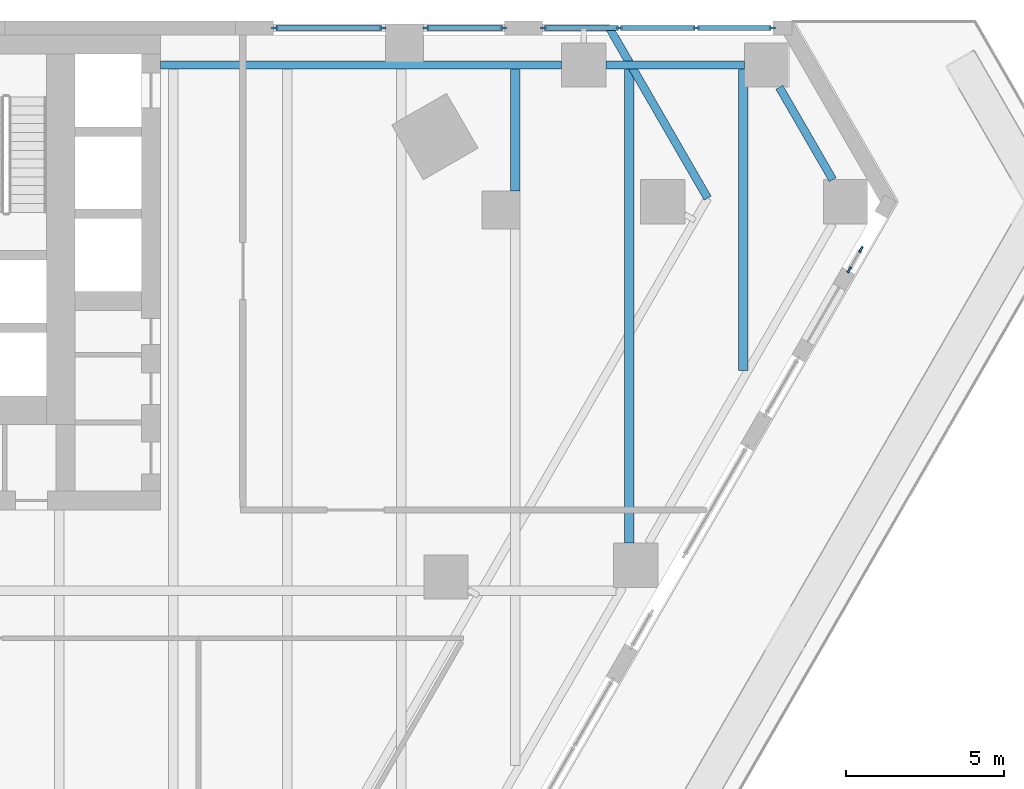
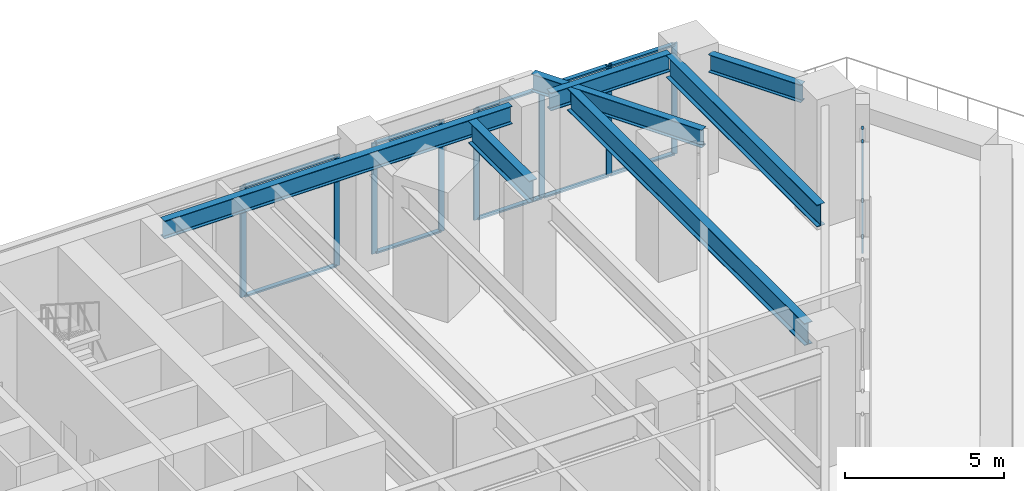
# One storey, part 14 of 31: 20 members, 7 beams, 4 elements without a shape of their own.
"""IFC4 building model written with IfcOpenShell, lengths in metres."""

from ifc_helpers import new_model, si_unit, direction, frame, origin, origin_2d, place, context, subcontext, project, spatial, rectangle, i_section, extrude, material, material_profile, profile_set, type_object, element, aggregate, save


model = new_model("IFC4")

# Units and contexts
model_context = context("Model", 3, precision=1e-05, world=origin(), true_north=direction((0.0, 1.0)))
body_context = subcontext(model_context, "Body", "Model", "MODEL_VIEW")
ifc_project = project(units=[si_unit("LENGTHUNIT", "METRE"), si_unit("AREAUNIT", "SQUARE_METRE"), si_unit("VOLUMEUNIT", "CUBIC_METRE"), si_unit("PLANEANGLEUNIT", "RADIAN"), si_unit("MASSUNIT", "GRAM", prefix="KILO")], contexts=[model_context])

# Site, building, storey
site_placement = place(None, origin())
site = spatial("IfcSite", under=ifc_project, at=site_placement, CompositionType="ELEMENT")
building_placement = place(site_placement, origin())
building = spatial("IfcBuilding", under=site, at=building_placement, Name="Aloe Facet Convention Tower", CompositionType="ELEMENT")
storey_placement = place(building_placement, frame((0.0, 0.0, 25.0)))
storey = spatial("IfcBuildingStorey", under=building, at=storey_placement, Name="L04", CompositionType="ELEMENT", Elevation=25.0)

# Beam
ifc_material_1 = material(Name="Steel S355", Category="steel")
ifc_material_profile_1 = material_profile(ifc_material_1, i_section(OverallWidth=0.25439453125, OverallDepth=0.6875, WebThickness=0.01318359375, FlangeThickness=0.02099609375, FilletRadius=0.01513671875, at=origin_2d()), Name="UB 686x254x152")
ifc_profile_set_1 = profile_set([ifc_material_profile_1], Name="Steel S355")
beam_type_1 = type_object("IfcBeamType", Name="EV-EB-UB686x254x152", PredefinedType="BEAM", material=ifc_profile_set_1)
beam_1_placement = place(storey_placement, frame((111.278564453125, 129.396728515625, 4.356201171875), z_axis=(-0.499986758824, 0.866033048446, 0.0), x_axis=(-0.866033048446, -0.499986758824, 0.0)))
element("IfcBeam", 1, at=beam_1_placement, inside=storey, type_object=beam_type_1, Name="EB-L05-C", PredefinedType="BEAM", context=body_context, shape_type="SweptSolid", body=[
    extrude(i_section(OverallWidth=0.25439453125, OverallDepth=0.6875, WebThickness=0.01318359375, FlangeThickness=0.02099609375, FilletRadius=0.01513671875, at=origin_2d()), origin(), (0.0, 0.0, 1.0), 6.210205078125),
])

# Curtain wall, members
ifc_material_2 = material(Name="Aluminium, anodised", Category="aluminium")
curtain_wall_type = type_object("IfcCurtainWallType", Name="EV-CW-HALL", PredefinedType="USERDEFINED", material=ifc_material_2)
curtain_wall_1_placement = place(storey_placement, origin())
curtain_wall_1 = element("IfcCurtainWall", 2, at=curtain_wall_1_placement, inside=storey, type_object=curtain_wall_type, Name="CW-L04-N02", ObjectType="UNITISED HALL GLAZING", PredefinedType="USERDEFINED")
ifc_material_3 = material(Name="Aluminium, anodised", Category="aluminium")
ifc_material_profile_2 = material_profile(ifc_material_3, rectangle(XDim=0.06494140625, YDim=0.199951171875, at=origin_2d()), Name="AL 65x200")
ifc_profile_set_2 = profile_set([ifc_material_profile_2], Name="Aluminium, anodised")
member_type_1 = type_object("IfcMemberType", Name="EV-MULL-HALL", PredefinedType="MULLION", material=ifc_profile_set_2)
member_1_placement = place(storey_placement, frame((113.314453125, 134.77490234375, -0.25), z_axis=(0.0, 0.0, 1.0), x_axis=(0.0, -1.0, 0.0)))
member_1 = element("IfcMember", 3, at=member_1_placement, type_object=member_type_1, Name="CW-L04-N02 mullion 1", PredefinedType="MULLION", context=body_context, shape_type="SweptSolid", body=[
    extrude(rectangle(XDim=0.06494140625, YDim=0.199951171875, at=origin_2d()), origin(), (0.0, 0.0, 1.0), 4.262451171875),
])
member_2_placement = place(storey_placement, frame((110.91796875, 134.77490234375, -0.25), z_axis=(0.0, 0.0, 1.0), x_axis=(0.0, -1.0, 0.0)))
member_2 = element("IfcMember", 4, at=member_2_placement, type_object=member_type_1, Name="CW-L04-N02 mullion 2", PredefinedType="MULLION", context=body_context, shape_type="SweptSolid", body=[
    extrude(rectangle(XDim=0.06494140625, YDim=0.199951171875, at=origin_2d()), origin(), (0.0, 0.0, 1.0), 4.262451171875),
])
member_3_placement = place(storey_placement, frame((108.4892578125, 134.77490234375, -0.25), z_axis=(0.0, 0.0, 1.0), x_axis=(0.0, -1.0, 0.0)))
member_3 = element("IfcMember", 5, at=member_3_placement, type_object=member_type_1, Name="CW-L04-N02 mullion 3", PredefinedType="MULLION", context=body_context, shape_type="SweptSolid", body=[
    extrude(rectangle(XDim=0.06494140625, YDim=0.199951171875, at=origin_2d()), origin(), (0.0, 0.0, 1.0), 4.262451171875),
])
member_4_placement = place(storey_placement, frame((106.0927734375, 134.77490234375, -0.25), z_axis=(0.0, 0.0, 1.0), x_axis=(0.0, -1.0, 0.0)))
member_4 = element("IfcMember", 6, at=member_4_placement, type_object=member_type_1, Name="CW-L04-N02 mullion 4", PredefinedType="MULLION", context=body_context, shape_type="SweptSolid", body=[
    extrude(rectangle(XDim=0.06494140625, YDim=0.199951171875, at=origin_2d()), origin(), (0.0, 0.0, 1.0), 4.262451171875),
])

curtain_wall_2_placement = place(storey_placement, origin())
curtain_wall_2 = element("IfcCurtainWall", 7, at=curtain_wall_2_placement, inside=storey, type_object=curtain_wall_type, Name="CW-L04-N04-1", ObjectType="UNITISED HALL GLAZING", PredefinedType="USERDEFINED")
member_5_placement = place(storey_placement, frame((104.82763671875, 134.77490234375, -0.25), z_axis=(0.0, 0.0, 1.0), x_axis=(0.0, -1.0, 0.0)))
member_5 = element("IfcMember", 8, at=member_5_placement, type_object=member_type_1, Name="CW-L04-N04-1 mullion 1", PredefinedType="MULLION", context=body_context, shape_type="SweptSolid", body=[
    extrude(rectangle(XDim=0.06494140625, YDim=0.199951171875, at=origin_2d()), origin(), (0.0, 0.0, 1.0), 4.262451171875),
])
member_6_placement = place(storey_placement, frame((102.382568359375, 134.77490234375, -0.25), z_axis=(0.0, 0.0, 1.0), x_axis=(0.0, -1.0, 0.0)))
member_6 = element("IfcMember", 9, at=member_6_placement, type_object=member_type_1, Name="CW-L04-N04-1 mullion 2", PredefinedType="MULLION", context=body_context, shape_type="SweptSolid", body=[
    extrude(rectangle(XDim=0.06494140625, YDim=0.199951171875, at=origin_2d()), origin(), (0.0, 0.0, 1.0), 4.262451171875),
])

curtain_wall_3_placement = place(storey_placement, origin())
curtain_wall_3 = element("IfcCurtainWall", 10, at=curtain_wall_3_placement, inside=storey, type_object=curtain_wall_type, Name="CW-L04-N04-2", ObjectType="UNITISED HALL GLAZING", PredefinedType="USERDEFINED")
member_7_placement = place(storey_placement, frame((101.017578125, 134.77490234375, -0.25), z_axis=(0.0, 0.0, 1.0), x_axis=(0.0, -1.0, 0.0)))
member_7 = element("IfcMember", 11, at=member_7_placement, type_object=member_type_1, Name="CW-L04-N04-2 mullion 1", PredefinedType="MULLION", context=body_context, shape_type="SweptSolid", body=[
    extrude(rectangle(XDim=0.06494140625, YDim=0.199951171875, at=origin_2d()), origin(), (0.0, 0.0, 1.0), 4.262451171875),
])
member_8_placement = place(storey_placement, frame((97.60595703125, 134.77490234375, -0.25), z_axis=(0.0, 0.0, 1.0), x_axis=(0.0, -1.0, 0.0)))
member_8 = element("IfcMember", 12, at=member_8_placement, type_object=member_type_1, Name="CW-L04-N04-2 mullion 2", PredefinedType="MULLION", context=body_context, shape_type="SweptSolid", body=[
    extrude(rectangle(XDim=0.06494140625, YDim=0.199951171875, at=origin_2d()), origin(), (0.0, 0.0, 1.0), 4.262451171875),
])

curtain_wall_4_placement = place(storey_placement, origin())
curtain_wall_4 = element("IfcCurtainWall", 13, at=curtain_wall_4_placement, inside=storey, type_object=curtain_wall_type, Name="CW-L04-E16B", ObjectType="UNITISED HALL GLAZING", PredefinedType="USERDEFINED")
member_9_placement = place(storey_placement, frame((115.746826171875, 127.1357421875, -0.25), z_axis=(0.0, 0.0, 1.0), x_axis=(-0.866025403418, 0.500000000635, 0.0)))
member_9 = element("IfcMember", 14, at=member_9_placement, type_object=member_type_1, Name="CW-L04-E16B mullion 1", PredefinedType="MULLION", context=body_context, shape_type="SweptSolid", body=[
    extrude(rectangle(XDim=0.06494140625, YDim=0.199951171875, at=origin_2d()), origin(), (0.0, 0.0, 1.0), 4.262451171875),
])
member_10_placement = place(storey_placement, frame((116.119384765625, 127.781005859375, -0.25), z_axis=(0.0, 0.0, 1.0), x_axis=(-0.866025403418, 0.500000000635, 0.0)))
member_10 = element("IfcMember", 15, at=member_10_placement, type_object=member_type_1, Name="CW-L04-E16B mullion 2", PredefinedType="MULLION", context=body_context, shape_type="SweptSolid", body=[
    extrude(rectangle(XDim=0.06494140625, YDim=0.199951171875, at=origin_2d()), origin(), (0.0, 0.0, 1.0), 4.262451171875),
])
aggregate(curtain_wall_4, [member_9, member_10])

# Member
ifc_material_4 = material(Name="Aluminium, anodised", Category="aluminium")
ifc_material_profile_3 = material_profile(ifc_material_4, rectangle(XDim=0.159912109375, YDim=0.06494140625, at=origin_2d()), Name="AL 160x65")
ifc_profile_set_3 = profile_set([ifc_material_profile_3], Name="Aluminium, anodised")
member_type_2 = type_object("IfcMemberType", Name="EV-TRAN-HALL", PredefinedType="USERDEFINED", material=ifc_profile_set_3)
member_11_placement = place(storey_placement, frame((113.281982421875, 134.77490234375, -0.217529296875), z_axis=(-1.0, 0.0, 0.0), x_axis=(0.0, -1.0, 0.0)))
member_11 = element("IfcMember", 16, at=member_11_placement, type_object=member_type_2, Name="CW-L04-N02 transom 1.1", ObjectType="TRANSOM", PredefinedType="USERDEFINED", context=body_context, shape_type="SweptSolid", body=[
    extrude(rectangle(XDim=0.159912109375, YDim=0.06494140625, at=origin_2d()), origin(), (0.0, 0.0, 1.0), 2.331298828125),
])

member_12_placement = place(storey_placement, frame((113.281982421875, 134.77490234375, 3.97998046875), z_axis=(-1.0, 0.0, 0.0), x_axis=(0.0, -1.0, 0.0)))
member_12 = element("IfcMember", 17, at=member_12_placement, type_object=member_type_2, Name="CW-L04-N02 transom 1.2", ObjectType="TRANSOM", PredefinedType="USERDEFINED", context=body_context, shape_type="SweptSolid", body=[
    extrude(rectangle(XDim=0.159912109375, YDim=0.06494140625, at=origin_2d()), origin(), (0.0, 0.0, 1.0), 2.331298828125),
])

member_13_placement = place(storey_placement, frame((110.885498046875, 134.77490234375, -0.217529296875), z_axis=(-1.0, 0.0, 0.0), x_axis=(0.0, -1.0, 0.0)))
member_13 = element("IfcMember", 18, at=member_13_placement, type_object=member_type_2, Name="CW-L04-N02 transom 2.1", ObjectType="TRANSOM", PredefinedType="USERDEFINED", context=body_context, shape_type="SweptSolid", body=[
    extrude(rectangle(XDim=0.159912109375, YDim=0.06494140625, at=origin_2d()), origin(), (0.0, 0.0, 1.0), 2.36376953125),
])

member_14_placement = place(storey_placement, frame((110.885498046875, 134.77490234375, 3.97998046875), z_axis=(-1.0, 0.0, 0.0), x_axis=(0.0, -1.0, 0.0)))
member_14 = element("IfcMember", 19, at=member_14_placement, type_object=member_type_2, Name="CW-L04-N02 transom 2.2", ObjectType="TRANSOM", PredefinedType="USERDEFINED", context=body_context, shape_type="SweptSolid", body=[
    extrude(rectangle(XDim=0.159912109375, YDim=0.06494140625, at=origin_2d()), origin(), (0.0, 0.0, 1.0), 2.36376953125),
])

member_15_placement = place(storey_placement, frame((108.456787109375, 134.77490234375, -0.217529296875), z_axis=(-1.0, 0.0, 0.0), x_axis=(0.0, -1.0, 0.0)))
member_15 = element("IfcMember", 20, at=member_15_placement, type_object=member_type_2, Name="CW-L04-N02 transom 3.1", ObjectType="TRANSOM", PredefinedType="USERDEFINED", context=body_context, shape_type="SweptSolid", body=[
    extrude(rectangle(XDim=0.159912109375, YDim=0.06494140625, at=origin_2d()), origin(), (0.0, 0.0, 1.0), 2.33154296875),
])

member_16_placement = place(storey_placement, frame((108.456787109375, 134.77490234375, 3.97998046875), z_axis=(-1.0, 0.0, 0.0), x_axis=(0.0, -1.0, 0.0)))
member_16 = element("IfcMember", 21, at=member_16_placement, type_object=member_type_2, Name="CW-L04-N02 transom 3.2", ObjectType="TRANSOM", PredefinedType="USERDEFINED", context=body_context, shape_type="SweptSolid", body=[
    extrude(rectangle(XDim=0.159912109375, YDim=0.06494140625, at=origin_2d()), origin(), (0.0, 0.0, 1.0), 2.33154296875),
])

aggregate(curtain_wall_1, [member_1, member_2, member_3, member_4, member_11, member_12, member_13, member_14, member_15, member_16])

member_17_placement = place(storey_placement, frame((104.795166015625, 134.77490234375, -0.217529296875), z_axis=(-1.0, 0.0, 0.0), x_axis=(0.0, -1.0, 0.0)))
member_17 = element("IfcMember", 22, at=member_17_placement, type_object=member_type_2, Name="CW-L04-N04-1 transom 1.1", ObjectType="TRANSOM", PredefinedType="USERDEFINED", context=body_context, shape_type="SweptSolid", body=[
    extrude(rectangle(XDim=0.159912109375, YDim=0.06494140625, at=origin_2d()), origin(), (0.0, 0.0, 1.0), 2.380126953125),
])

member_18_placement = place(storey_placement, frame((104.795166015625, 134.77490234375, 3.97998046875), z_axis=(-1.0, 0.0, 0.0), x_axis=(0.0, -1.0, 0.0)))
member_18 = element("IfcMember", 23, at=member_18_placement, type_object=member_type_2, Name="CW-L04-N04-1 transom 1.2", ObjectType="TRANSOM", PredefinedType="USERDEFINED", context=body_context, shape_type="SweptSolid", body=[
    extrude(rectangle(XDim=0.159912109375, YDim=0.06494140625, at=origin_2d()), origin(), (0.0, 0.0, 1.0), 2.380126953125),
])

aggregate(curtain_wall_2, [member_5, member_6, member_17, member_18])

member_19_placement = place(storey_placement, frame((100.985107421875, 134.77490234375, -0.217529296875), z_axis=(-1.0, 0.0, 0.0), x_axis=(0.0, -1.0, 0.0)))
member_19 = element("IfcMember", 24, at=member_19_placement, type_object=member_type_2, Name="CW-L04-N04-2 transom 1.1", ObjectType="TRANSOM", PredefinedType="USERDEFINED", context=body_context, shape_type="SweptSolid", body=[
    extrude(rectangle(XDim=0.159912109375, YDim=0.06494140625, at=origin_2d()), origin(), (0.0, 0.0, 1.0), 3.3466796875),
])

member_20_placement = place(storey_placement, frame((100.985107421875, 134.77490234375, 3.97998046875), z_axis=(-1.0, 0.0, 0.0), x_axis=(0.0, -1.0, 0.0)))
member_20 = element("IfcMember", 25, at=member_20_placement, type_object=member_type_2, Name="CW-L04-N04-2 transom 1.2", ObjectType="TRANSOM", PredefinedType="USERDEFINED", context=body_context, shape_type="SweptSolid", body=[
    extrude(rectangle(XDim=0.159912109375, YDim=0.06494140625, at=origin_2d()), origin(), (0.0, 0.0, 1.0), 3.3466796875),
])

aggregate(curtain_wall_3, [member_7, member_8, member_19, member_20])

# Beams
ifc_material_5 = material(Name="Steel S355", Category="steel")
ifc_material_profile_4 = material_profile(ifc_material_5, i_section(OverallWidth=0.25439453125, OverallDepth=0.6875, WebThickness=0.01318359375, FlangeThickness=0.02099609375, FilletRadius=0.01513671875, at=origin_2d()), Name="UB 686x254x152")
ifc_profile_set_4 = profile_set([ifc_material_profile_4], Name="Steel S355")
beam_type_2 = type_object("IfcBeamType", Name="SF-B-UB686x254x152", PredefinedType="BEAM", material=ifc_profile_set_4)
beam_2_placement = place(storey_placement, frame((94.0, 133.60009765625, 4.356201171875), z_axis=(1.0, 0.0, 0.0), x_axis=(0.0, 1.0, 0.0)))
element("IfcBeam", 26, at=beam_2_placement, inside=storey, type_object=beam_type_2, Name="Floor beam FB-L05-012", PredefinedType="BEAM", context=body_context, shape_type="SweptSolid", body=[
    extrude(i_section(OverallWidth=0.25439453125, OverallDepth=0.6875, WebThickness=0.01318359375, FlangeThickness=0.02099609375, FilletRadius=0.01513671875, at=origin_2d()), origin(), (0.0, 0.0, 1.0), 12.6650390625),
])
beam_3_placement = place(storey_placement, frame((108.06494140625, 133.60009765625, 4.356201171875), z_axis=(1.0, 0.0, 0.0), x_axis=(0.0, 1.0, 0.0)))
element("IfcBeam", 27, at=beam_3_placement, inside=storey, type_object=beam_type_2, Name="Floor beam FB-L05-016", PredefinedType="BEAM", context=body_context, shape_type="SweptSolid", body=[
    extrude(i_section(OverallWidth=0.25439453125, OverallDepth=0.6875, WebThickness=0.01318359375, FlangeThickness=0.02099609375, FilletRadius=0.01513671875, at=origin_2d()), origin(), (0.0, 0.0, 1.0), 4.3740234375),
])
beam_4_placement = place(storey_placement, frame((113.54296875, 132.89990234375, 4.356201171875), z_axis=(0.499952599003, -0.866052769034, 0.0), x_axis=(0.866052769034, 0.499952599003, 0.0)))
element("IfcBeam", 28, at=beam_4_placement, inside=storey, type_object=beam_type_2, Name="Floor beam FB-L05-018", PredefinedType="BEAM", context=body_context, shape_type="SweptSolid", body=[
    extrude(i_section(OverallWidth=0.25439453125, OverallDepth=0.6875, WebThickness=0.01318359375, FlangeThickness=0.02099609375, FilletRadius=0.01513671875, at=origin_2d()), origin(), (0.0, 0.0, 1.0), 3.366943359375),
])
ifc_material_6 = material(Name="Steel S355", Category="steel")
ifc_material_profile_5 = material_profile(ifc_material_6, i_section(OverallWidth=0.293701171875, OverallDepth=0.850830078125, WebThickness=0.01611328125, FlangeThickness=0.02685546875, FilletRadius=0.017822265625, at=origin_2d()), Name="UB 838x292x226")
ifc_profile_set_5 = profile_set([ifc_material_profile_5], Name="Steel S355")
beam_type_3 = type_object("IfcBeamType", Name="SF-B-UB838x292x226", PredefinedType="BEAM", material=ifc_profile_set_5)
beam_5_placement = place(storey_placement, frame((105.199951171875, 129.6279296875, 4.2744140625), z_axis=(0.0, 1.0, 0.0), x_axis=(-1.0, 0.0, 0.0)))
element("IfcBeam", 29, at=beam_5_placement, inside=storey, type_object=beam_type_3, Name="Floor beam FB-L05-079", PredefinedType="BEAM", context=body_context, shape_type="SweptSolid", body=[
    extrude(i_section(OverallWidth=0.293701171875, OverallDepth=0.850830078125, WebThickness=0.01611328125, FlangeThickness=0.02685546875, FilletRadius=0.017822265625, at=origin_2d()), origin(), (0.0, 0.0, 1.0), 3.834716796875),
])
beam_6_placement = place(storey_placement, frame((108.800048828125, 118.5048828125, 4.2744140625), z_axis=(0.0, 1.0, 0.0), x_axis=(-1.0, 0.0, 0.0)))
element("IfcBeam", 30, at=beam_6_placement, inside=storey, type_object=beam_type_3, Name="Floor beam FB-L05-080", PredefinedType="BEAM", context=body_context, shape_type="SweptSolid", body=[
    extrude(i_section(OverallWidth=0.293701171875, OverallDepth=0.850830078125, WebThickness=0.01611328125, FlangeThickness=0.02685546875, FilletRadius=0.017822265625, at=origin_2d()), origin(), (0.0, 0.0, 1.0), 14.957763671875),
])
beam_7_placement = place(storey_placement, frame((112.39990234375, 123.95361328125, 4.2744140625), z_axis=(0.0, 1.0, 0.0), x_axis=(-1.0, 0.0, 0.0)))
element("IfcBeam", 31, at=beam_7_placement, inside=storey, type_object=beam_type_3, Name="Floor beam FB-L05-081", PredefinedType="BEAM", context=body_context, shape_type="SweptSolid", body=[
    extrude(i_section(OverallWidth=0.293701171875, OverallDepth=0.850830078125, WebThickness=0.01611328125, FlangeThickness=0.02685546875, FilletRadius=0.017822265625, at=origin_2d()), origin(), (0.0, 0.0, 1.0), 9.509033203125),
])

save(model, "model.ifc")
